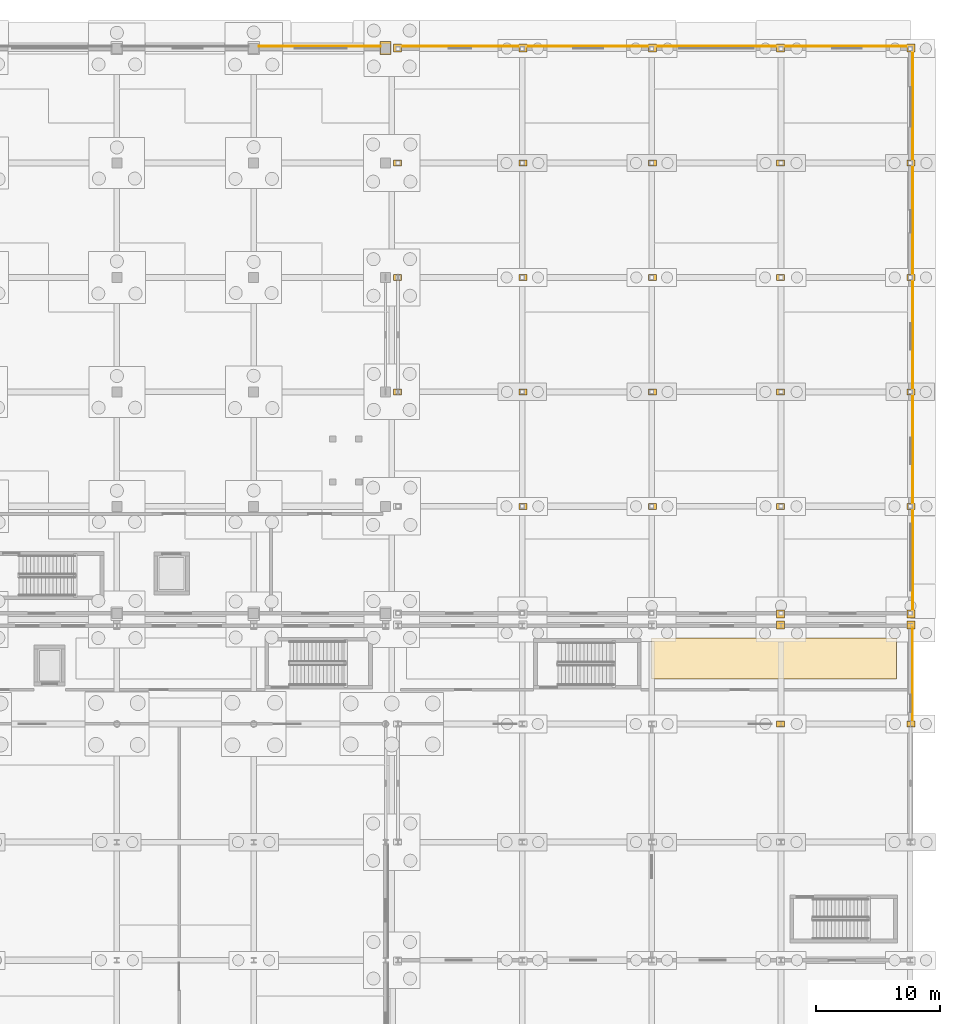
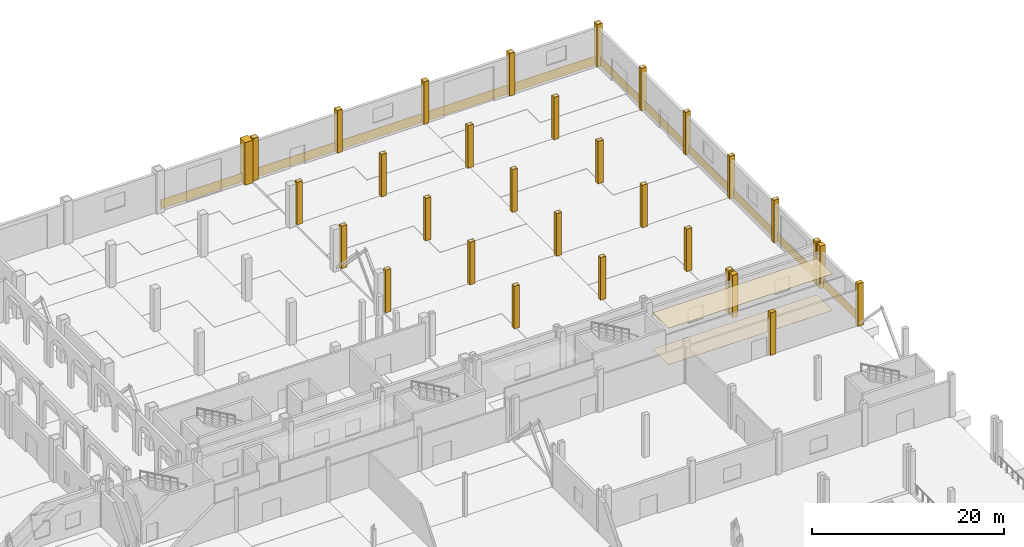
# One storey, part 82 of 83: 44 coverings.
"""IFC4 building model written with IfcOpenShell, lengths in metres."""

from ifc_helpers import new_model, si_unit, direction, frame, frame_2d, origin, origin_2d, place, context, subcontext, project, spatial, polyline, rectangle, outline, extrude, material, layer, layer_set, type_object, element, save


model = new_model("IFC4")

# Units and contexts
model_context = context("Model", 3, precision=1e-05, world=origin(), true_north=direction((0.0, 1.0)))
body_context = subcontext(model_context, "Body", "Model", "MODEL_VIEW")
ifc_project = project(units=[si_unit("LENGTHUNIT", "METRE"), si_unit("AREAUNIT", "SQUARE_METRE"), si_unit("VOLUMEUNIT", "CUBIC_METRE"), si_unit("PLANEANGLEUNIT", "RADIAN"), si_unit("MASSUNIT", "GRAM", prefix="KILO")], contexts=[model_context])

# Site, building, storey
site_placement = place(None, origin())
site = spatial("IfcSite", under=ifc_project, at=site_placement, CompositionType="ELEMENT")
building_placement = place(site_placement, origin())
building = spatial("IfcBuilding", under=site, at=building_placement, Name="Caurita Quay Ferry Terminal", CompositionType="ELEMENT")
storey_placement = place(building_placement, origin())
storey = spatial("IfcBuildingStorey", under=building, at=storey_placement, Name="L00", CompositionType="ELEMENT", Elevation=0.0)

# Coverings
ifc_material_1 = material(Name="Acoustic mineral fibre tile", Category="finish")
ifc_layer_1 = layer(ifc_material_1, 0.02001953125, Name="Acoustic mineral-fibre suspended ceiling 20 mm")
ifc_layer_set_1 = layer_set([ifc_layer_1], Name="Acoustic mineral fibre tile")
covering_type_1 = type_object("IfcCoveringType", Name="COV-CEIL-020", PredefinedType="CEILING", material=ifc_layer_set_1)
covering_1_placement = place(storey_placement, frame((0.0, 0.0, 4.6083984375)))
element("IfcCovering", 1, at=covering_1_placement, inside=storey, type_object=covering_type_1, Name="Vessel Provisioning Staging Room Acoustic Ceiling", PredefinedType="CEILING", context=body_context, shape_type="SweptSolid", body=[
    extrude(outline(polyline([(153.199951171875, 66.300048828125), (172.89990234375, 66.300048828125), (172.89990234375, 69.60009765625), (153.199951171875, 69.60009765625), (153.199951171875, 66.300048828125)])), origin(), (0.0, 0.0, 1.0), 0.02001953125),
])
ifc_material_2 = material(Name="Coral stone ashlar cladding", Category="masonry")
ifc_layer_2 = layer(ifc_material_2, 0.054931640625, Name="Rusticated coral-stone basamento plinth cladding 55 mm")
ifc_layer_set_2 = layer_set([ifc_layer_2], Name="Coral stone ashlar cladding")
covering_type_2 = type_object("IfcCoveringType", Name="COV-CORAL-CLD", PredefinedType="CLADDING", material=ifc_layer_set_2)
covering_2_placement = place(storey_placement, frame((174.179931640625, 62.879638671875, 0.0), z_axis=(0.0, 0.0, 1.0), x_axis=(0.0, 1.0, 0.0)))
element("IfcCovering", 2, at=covering_2_placement, inside=storey, type_object=covering_type_2, Name="Coral-Stone Basamento Cladding 136", PredefinedType="CLADDING", context=body_context, shape_type="SweptSolid", body=[
    extrude(rectangle(XDim=7.540771484375, YDim=0.054931640625, at=frame_2d((3.7705078125, 0.0))), origin(), (0.0, 0.0, 1.0), 1.14990234375),
])
covering_3_placement = place(storey_placement, frame((131.402099609375, 117.195068359375, 0.0), z_axis=(0.0, 0.0, 1.0), x_axis=(-1.0, 0.0, 0.0)))
element("IfcCovering", 3, at=covering_3_placement, inside=storey, type_object=covering_type_2, Name="Coral-Stone Basamento Cladding 194", PredefinedType="CLADDING", context=body_context, shape_type="SweptSolid", body=[
    extrude(rectangle(XDim=9.80419921875, YDim=0.054931640625, at=frame_2d((4.902099609375, 0.0))), origin(), (0.0, 0.0, 1.0), 1.14990234375),
])
covering_4_placement = place(storey_placement, frame((142.6240234375, 117.195068359375, 0.0), z_axis=(0.0, 0.0, 1.0), x_axis=(-1.0, 0.0, 0.0)))
element("IfcCovering", 4, at=covering_4_placement, inside=storey, type_object=covering_type_2, Name="Coral-Stone Basamento Cladding 197", PredefinedType="CLADDING", context=body_context, shape_type="SweptSolid", body=[
    extrude(rectangle(XDim=9.64794921875, YDim=0.054931640625, at=frame_2d((4.823974609375, 0.0))), origin(), (0.0, 0.0, 1.0), 1.14990234375),
])
covering_5_placement = place(storey_placement, frame((153.02392578125, 117.195068359375, 0.0), z_axis=(0.0, 0.0, 1.0), x_axis=(-1.0, 0.0, 0.0)))
element("IfcCovering", 5, at=covering_5_placement, inside=storey, type_object=covering_type_2, Name="Coral-Stone Basamento Cladding 198", PredefinedType="CLADDING", context=body_context, shape_type="SweptSolid", body=[
    extrude(rectangle(XDim=10.0478515625, YDim=0.054931640625, at=frame_2d((5.02392578125, 0.0))), origin(), (0.0, 0.0, 1.0), 1.14990234375),
])
for number, where, z_axis, x_axis, name in (
    (6, (163.424072265625, 117.195068359375, 0.0), (0.0, 0.0, 1.0), (-1.0, 0.0, 0.0), "Coral-Stone Basamento Cladding 199"),
    (7, (173.823974609375, 117.195068359375, 0.0), (0.0, 0.0, 1.0), (-1.0, 0.0, 0.0), "Coral-Stone Basamento Cladding 200"),
):
    element("IfcCovering", number, at=place(storey_placement, frame(where, z_axis=z_axis, x_axis=x_axis)), inside=storey, type_object=covering_type_2, Name=name, PredefinedType="CLADDING", context=body_context, shape_type="SweptSolid", body=[
        extrude(rectangle(XDim=10.048095703125, YDim=0.054931640625, at=frame_2d((5.02392578125, 0.0))), origin(), (0.0, 0.0, 1.0), 1.14990234375),
    ])
covering_6_placement = place(storey_placement, frame((174.195068359375, 71.77587890625, 0.0), z_axis=(0.0, 0.0, 1.0), x_axis=(0.0, 1.0, 0.0)))
element("IfcCovering", 8, at=covering_6_placement, inside=storey, type_object=covering_type_2, Name="Coral-Stone Basamento Cladding 201", PredefinedType="CLADDING", context=body_context, shape_type="SweptSolid", body=[
    extrude(rectangle(XDim=8.248046875, YDim=0.054931640625, at=frame_2d((4.1240234375, 0.0))), origin(), (0.0, 0.0, 1.0), 1.14990234375),
])
for number, where, z_axis, x_axis, name in (
    (9, (174.195068359375, 80.3759765625, 0.0), (0.0, 0.0, 1.0), (0.0, 1.0, 0.0), "Coral-Stone Basamento Cladding 202"),
    (10, (174.195068359375, 89.575927734375, 0.0), (0.0, 0.0, 1.0), (0.0, 1.0, 0.0), "Coral-Stone Basamento Cladding 203"),
    (11, (174.195068359375, 98.77587890625, 0.0), (0.0, 0.0, 1.0), (0.0, 1.0, 0.0), "Coral-Stone Basamento Cladding 204"),
):
    element("IfcCovering", number, at=place(storey_placement, frame(where, z_axis=z_axis, x_axis=x_axis)), inside=storey, type_object=covering_type_2, Name=name, PredefinedType="CLADDING", context=body_context, shape_type="SweptSolid", body=[
        extrude(rectangle(XDim=8.84814453125, YDim=0.054931640625, at=frame_2d((4.424072265625, 0.0))), origin(), (0.0, 0.0, 1.0), 1.14990234375),
    ])
covering_7_placement = place(storey_placement, frame((174.195068359375, 107.97607421875, 0.0), z_axis=(0.0, 0.0, 1.0), x_axis=(0.0, 1.0, 0.0)))
element("IfcCovering", 12, at=covering_7_placement, inside=storey, type_object=covering_type_2, Name="Coral-Stone Basamento Cladding 205", PredefinedType="CLADDING", context=body_context, shape_type="SweptSolid", body=[
    extrude(rectangle(XDim=8.847900390625, YDim=0.054931640625, at=frame_2d((4.423828125, 0.0))), origin(), (0.0, 0.0, 1.0), 1.14990234375),
])
ifc_material_3 = material(Name="Polished marine terrazzo tile", Category="finish")
ifc_layer_3 = layer(ifc_material_3, 0.02490234375, Name="Polished marine terrazzo floor finish 25 mm")
ifc_layer_set_3 = layer_set([ifc_layer_3], Name="Polished marine terrazzo tile")
covering_type_3 = type_object("IfcCoveringType", Name="COV-FLR-025", PredefinedType="FLOORING", material=ifc_layer_set_3)
covering_8_placement = place(storey_placement, origin())
element("IfcCovering", 13, at=covering_8_placement, inside=storey, type_object=covering_type_3, Name="Vessel Provisioning Staging Room Terrazzo Flooring", PredefinedType="FLOORING", context=body_context, shape_type="SweptSolid", body=[
    extrude(outline(polyline([(153.199951171875, 66.300048828125), (172.89990234375, 66.300048828125), (172.89990234375, 69.60009765625), (153.199951171875, 69.60009765625), (153.199951171875, 66.300048828125)])), origin(), (0.0, 0.0, 1.0), 0.02490234375),
])
ifc_material_4 = material(Name="Warm-white lime stucco masonry", Category="masonry")
ifc_layer_4 = layer(ifc_material_4, 0.179931640625, Name="Classical engaged lime-stucco facade pilaster cladding 180 mm")
ifc_layer_set_4 = layer_set([ifc_layer_4], Name="Warm-white lime stucco masonry")
covering_type_4 = type_object("IfcCoveringType", Name="COV-PIL-CLD", PredefinedType="CLADDING", material=ifc_layer_set_4)
covering_9_placement = place(storey_placement, frame((163.550048828125, 62.699951171875, 0.0), z_axis=(0.0, 0.0, 1.0), x_axis=(1.0, 0.0, 0.0)))
element("IfcCovering", 14, at=covering_9_placement, inside=storey, type_object=covering_type_4, Name="L00 Classical Engaged Pilaster 0176", PredefinedType="CLADDING", context=body_context, shape_type="SweptSolid", body=[
    extrude(rectangle(XDim=0.65087890625, YDim=0.483154296875, at=origin_2d()), origin(), (0.0, 0.0, 1.0), 5.39990234375),
])
covering_10_placement = place(storey_placement, frame((163.550048828125, 70.64990234375, 0.0), z_axis=(0.0, 0.0, 1.0), x_axis=(1.0, 0.0, 0.0)))
element("IfcCovering", 15, at=covering_10_placement, inside=storey, type_object=covering_type_4, Name="L00 Classical Engaged Pilaster 0178", PredefinedType="CLADDING", context=body_context, shape_type="SweptSolid", body=[
    extrude(rectangle(XDim=0.65087890625, YDim=0.643310546875, at=origin_2d()), origin(), (0.0, 0.0, 1.0), 5.39990234375),
])
covering_11_placement = place(storey_placement, frame((174.050048828125, 62.699951171875, 0.0), z_axis=(0.0, 0.0, 1.0), x_axis=(1.0, 0.0, 0.0)))
element("IfcCovering", 16, at=covering_11_placement, inside=storey, type_object=covering_type_4, Name="L00 Classical Engaged Pilaster 0195", PredefinedType="CLADDING", context=body_context, shape_type="SweptSolid", body=[
    extrude(rectangle(XDim=0.65087890625, YDim=0.483154296875, at=origin_2d()), origin(), (0.0, 0.0, 1.0), 5.39990234375),
])
covering_12_placement = place(storey_placement, frame((174.050048828125, 70.64990234375, 0.0), z_axis=(0.0, 0.0, 1.0), x_axis=(1.0, 0.0, 0.0)))
element("IfcCovering", 17, at=covering_12_placement, inside=storey, type_object=covering_type_4, Name="L00 Classical Engaged Pilaster 0197", PredefinedType="CLADDING", context=body_context, shape_type="SweptSolid", body=[
    extrude(rectangle(XDim=0.65087890625, YDim=0.643310546875, at=origin_2d()), origin(), (0.0, 0.0, 1.0), 5.39990234375),
])
covering_13_placement = place(storey_placement, frame((131.800048828125, 117.050048828125, 0.0), z_axis=(0.0, 0.0, 1.0), x_axis=(1.0, 0.0, 0.0)))
element("IfcCovering", 18, at=covering_13_placement, inside=storey, type_object=covering_type_4, Name="L00 Classical Engaged Pilaster 0234", PredefinedType="CLADDING", context=body_context, shape_type="SweptSolid", body=[
    extrude(rectangle(XDim=0.919921875, YDim=1.080078125, at=origin_2d()), origin(), (0.0, 0.0, 1.0), 5.39990234375),
])
for number, where, z_axis, x_axis, name in (
    (19, (132.75, 89.39990234375, 0.0), (0.0, 0.0, 1.0), (1.0, 0.0, 0.0), "L00 Classical Engaged Pilaster 0238"),
    (20, (132.75, 98.60009765625, 0.0), (0.0, 0.0, 1.0), (1.0, 0.0, 0.0), "L00 Classical Engaged Pilaster 0239"),
    (21, (132.75, 107.800048828125, 0.0), (0.0, 0.0, 1.0), (1.0, 0.0, 0.0), "L00 Classical Engaged Pilaster 0240"),
):
    element("IfcCovering", number, at=place(storey_placement, frame(where, z_axis=z_axis, x_axis=x_axis)), inside=storey, type_object=covering_type_4, Name=name, PredefinedType="CLADDING", context=body_context, shape_type="SweptSolid", body=[
        extrude(rectangle(XDim=0.635986328125, YDim=0.47607421875, at=origin_2d()), origin(), (0.0, 0.0, 1.0), 5.39990234375),
    ])
covering_14_placement = place(storey_placement, frame((132.75, 117.050048828125, 0.0), z_axis=(0.0, 0.0, 1.0), x_axis=(1.0, 0.0, 0.0)))
element("IfcCovering", 22, at=covering_14_placement, inside=storey, type_object=covering_type_4, Name="L00 Classical Engaged Pilaster 0241", PredefinedType="CLADDING", context=body_context, shape_type="SweptSolid", body=[
    extrude(rectangle(XDim=0.635986328125, YDim=0.635986328125, at=origin_2d()), origin(), (0.0, 0.0, 1.0), 5.39990234375),
])
for number, where, z_axis, x_axis, name in (
    (23, (142.85009765625, 80.199951171875, 0.0), (0.0, 0.0, 1.0), (1.0, 0.0, 0.0), "L00 Classical Engaged Pilaster 0243"),
    (24, (142.85009765625, 89.39990234375, 0.0), (0.0, 0.0, 1.0), (1.0, 0.0, 0.0), "L00 Classical Engaged Pilaster 0244"),
    (25, (142.85009765625, 98.60009765625, 0.0), (0.0, 0.0, 1.0), (1.0, 0.0, 0.0), "L00 Classical Engaged Pilaster 0245"),
    (26, (142.85009765625, 107.800048828125, 0.0), (0.0, 0.0, 1.0), (1.0, 0.0, 0.0), "L00 Classical Engaged Pilaster 0246"),
):
    element("IfcCovering", number, at=place(storey_placement, frame(where, z_axis=z_axis, x_axis=x_axis)), inside=storey, type_object=covering_type_4, Name=name, PredefinedType="CLADDING", context=body_context, shape_type="SweptSolid", body=[
        extrude(rectangle(XDim=0.635986328125, YDim=0.47607421875, at=origin_2d()), origin(), (0.0, 0.0, 1.0), 5.39990234375),
    ])
covering_15_placement = place(storey_placement, frame((142.85009765625, 117.050048828125, 0.0), z_axis=(0.0, 0.0, 1.0), x_axis=(1.0, 0.0, 0.0)))
element("IfcCovering", 27, at=covering_15_placement, inside=storey, type_object=covering_type_4, Name="L00 Classical Engaged Pilaster 0247", PredefinedType="CLADDING", context=body_context, shape_type="SweptSolid", body=[
    extrude(rectangle(XDim=0.635986328125, YDim=0.635986328125, at=origin_2d()), origin(), (0.0, 0.0, 1.0), 5.39990234375),
])
for number, where, z_axis, x_axis, name in (
    (28, (153.25, 80.199951171875, 0.0), (0.0, 0.0, 1.0), (1.0, 0.0, 0.0), "L00 Classical Engaged Pilaster 0249"),
    (29, (153.25, 89.39990234375, 0.0), (0.0, 0.0, 1.0), (1.0, 0.0, 0.0), "L00 Classical Engaged Pilaster 0250"),
    (30, (153.25, 98.60009765625, 0.0), (0.0, 0.0, 1.0), (1.0, 0.0, 0.0), "L00 Classical Engaged Pilaster 0251"),
    (31, (153.25, 107.800048828125, 0.0), (0.0, 0.0, 1.0), (1.0, 0.0, 0.0), "L00 Classical Engaged Pilaster 0252"),
):
    element("IfcCovering", number, at=place(storey_placement, frame(where, z_axis=z_axis, x_axis=x_axis)), inside=storey, type_object=covering_type_4, Name=name, PredefinedType="CLADDING", context=body_context, shape_type="SweptSolid", body=[
        extrude(rectangle(XDim=0.635986328125, YDim=0.47607421875, at=origin_2d()), origin(), (0.0, 0.0, 1.0), 5.39990234375),
    ])
for number, where, z_axis, x_axis, name in (
    (32, (153.25, 117.050048828125, 0.0), (0.0, 0.0, 1.0), (1.0, 0.0, 0.0), "L00 Classical Engaged Pilaster 0253"),
    (33, (163.550048828125, 71.550048828125, 0.0), (0.0, 0.0, 1.0), (1.0, 0.0, 0.0), "L00 Classical Engaged Pilaster 0254"),
):
    element("IfcCovering", number, at=place(storey_placement, frame(where, z_axis=z_axis, x_axis=x_axis)), inside=storey, type_object=covering_type_4, Name=name, PredefinedType="CLADDING", context=body_context, shape_type="SweptSolid", body=[
        extrude(rectangle(XDim=0.635986328125, YDim=0.635986328125, at=origin_2d()), origin(), (0.0, 0.0, 1.0), 5.39990234375),
    ])
for number, where, z_axis, x_axis, name in (
    (34, (163.550048828125, 80.199951171875, 0.0), (0.0, 0.0, 1.0), (1.0, 0.0, 0.0), "L00 Classical Engaged Pilaster 0255"),
    (35, (163.550048828125, 89.39990234375, 0.0), (0.0, 0.0, 1.0), (1.0, 0.0, 0.0), "L00 Classical Engaged Pilaster 0256"),
    (36, (163.550048828125, 98.60009765625, 0.0), (0.0, 0.0, 1.0), (1.0, 0.0, 0.0), "L00 Classical Engaged Pilaster 0257"),
    (37, (163.550048828125, 107.800048828125, 0.0), (0.0, 0.0, 1.0), (1.0, 0.0, 0.0), "L00 Classical Engaged Pilaster 0258"),
):
    element("IfcCovering", number, at=place(storey_placement, frame(where, z_axis=z_axis, x_axis=x_axis)), inside=storey, type_object=covering_type_4, Name=name, PredefinedType="CLADDING", context=body_context, shape_type="SweptSolid", body=[
        extrude(rectangle(XDim=0.635986328125, YDim=0.47607421875, at=origin_2d()), origin(), (0.0, 0.0, 1.0), 5.39990234375),
    ])
for number, where, z_axis, x_axis, name in (
    (38, (163.550048828125, 117.050048828125, 0.0), (0.0, 0.0, 1.0), (1.0, 0.0, 0.0), "L00 Classical Engaged Pilaster 0259"),
    (39, (174.050048828125, 71.550048828125, 0.0), (0.0, 0.0, 1.0), (1.0, 0.0, 0.0), "L00 Classical Engaged Pilaster 0260"),
):
    element("IfcCovering", number, at=place(storey_placement, frame(where, z_axis=z_axis, x_axis=x_axis)), inside=storey, type_object=covering_type_4, Name=name, PredefinedType="CLADDING", context=body_context, shape_type="SweptSolid", body=[
        extrude(rectangle(XDim=0.635986328125, YDim=0.635986328125, at=origin_2d()), origin(), (0.0, 0.0, 1.0), 5.39990234375),
    ])
for number, where, z_axis, x_axis, name in (
    (40, (174.050048828125, 80.199951171875, 0.0), (0.0, 0.0, 1.0), (1.0, 0.0, 0.0), "L00 Classical Engaged Pilaster 0261"),
    (41, (174.050048828125, 89.39990234375, 0.0), (0.0, 0.0, 1.0), (1.0, 0.0, 0.0), "L00 Classical Engaged Pilaster 0262"),
    (42, (174.050048828125, 98.60009765625, 0.0), (0.0, 0.0, 1.0), (1.0, 0.0, 0.0), "L00 Classical Engaged Pilaster 0263"),
    (43, (174.050048828125, 107.800048828125, 0.0), (0.0, 0.0, 1.0), (1.0, 0.0, 0.0), "L00 Classical Engaged Pilaster 0264"),
):
    element("IfcCovering", number, at=place(storey_placement, frame(where, z_axis=z_axis, x_axis=x_axis)), inside=storey, type_object=covering_type_4, Name=name, PredefinedType="CLADDING", context=body_context, shape_type="SweptSolid", body=[
        extrude(rectangle(XDim=0.635986328125, YDim=0.47607421875, at=origin_2d()), origin(), (0.0, 0.0, 1.0), 5.39990234375),
    ])
covering_16_placement = place(storey_placement, frame((174.050048828125, 117.050048828125, 0.0), z_axis=(0.0, 0.0, 1.0), x_axis=(1.0, 0.0, 0.0)))
element("IfcCovering", 44, at=covering_16_placement, inside=storey, type_object=covering_type_4, Name="L00 Classical Engaged Pilaster 0265", PredefinedType="CLADDING", context=body_context, shape_type="SweptSolid", body=[
    extrude(rectangle(XDim=0.635986328125, YDim=0.635986328125, at=origin_2d()), origin(), (0.0, 0.0, 1.0), 5.39990234375),
])

save(model, "model.ifc")
